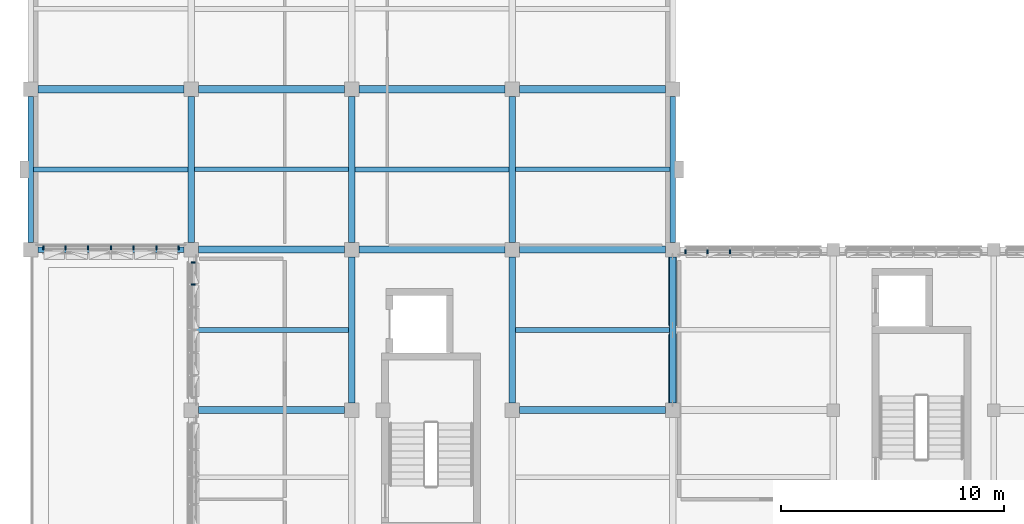
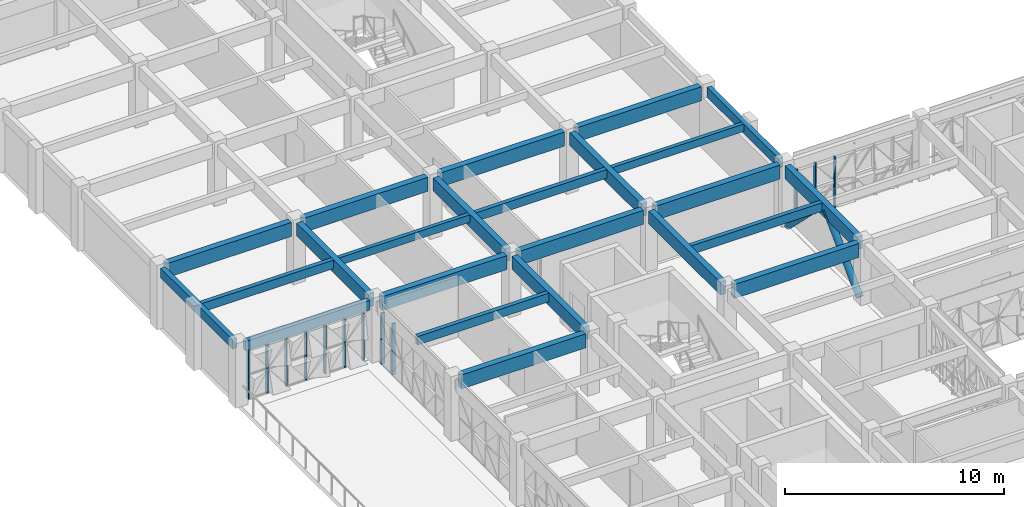
# One storey, part 7 of 85: 24 beams, 14 members, 3 elements without a shape of their own.
"""IFC4 building model written with IfcOpenShell, lengths in metres."""

from ifc_helpers import new_model, si_unit, direction, frame, origin, origin_2d, place, context, subcontext, project, spatial, rectangle, hollow_circle, extrude, material, material_profile, profile_set, type_object, element, aggregate, save


model = new_model("IFC4")

# Units and contexts
model_context = context("Model", 3, precision=1e-05, world=origin(), true_north=direction((0.0, 1.0)))
body_context = subcontext(model_context, "Body", "Model", "MODEL_VIEW")
ifc_project = project(units=[si_unit("LENGTHUNIT", "METRE"), si_unit("AREAUNIT", "SQUARE_METRE"), si_unit("VOLUMEUNIT", "CUBIC_METRE"), si_unit("PLANEANGLEUNIT", "RADIAN"), si_unit("MASSUNIT", "GRAM", prefix="KILO")], contexts=[model_context])

# Site, building, storey
site_placement = place(None, origin())
site = spatial("IfcSite", under=ifc_project, at=site_placement, CompositionType="ELEMENT")
building_placement = place(site_placement, origin())
building = spatial("IfcBuilding", under=site, at=building_placement, Name="Alvorim Cloister Faculty of Sciences", CompositionType="ELEMENT")
storey_placement = place(building_placement, frame((0.0, 0.0, 8.550048828125)))
storey = spatial("IfcBuildingStorey", under=building, at=storey_placement, Name="L02", CompositionType="ELEMENT", Elevation=8.550048828125)

# Beams
ifc_material_1 = material(Name="Glulam GL32h", Category="wood")
ifc_material_profile_1 = material_profile(ifc_material_1, rectangle(XDim=0.300048828125, YDim=0.719970703125, at=origin_2d()), Name="GL32-BM-300x720")
ifc_profile_set_1 = profile_set([ifc_material_profile_1], Name="Glulam GL32h")
beam_type_1 = type_object("IfcBeamType", Name="BM-GL-300x720", PredefinedType="BEAM", material=ifc_profile_set_1)
for number, where, z_axis, x_axis, name in (
    (1, (7.199951171875, 56.719970703125, 3.030029296875), (0.0, 1.0, 0.0), (-1.0, 0.0, 0.0), "L02 Primary Girder BM-1357"),
    (2, (14.39990234375, 49.52001953125, 3.030029296875), (0.0, 1.0, 0.0), (-1.0, 0.0, 0.0), "L02 Primary Girder BM-1372"),
    (3, (14.39990234375, 56.719970703125, 3.030029296875), (0.0, 1.0, 0.0), (-1.0, 0.0, 0.0), "L02 Primary Girder BM-1373"),
    (4, (21.60009765625, 49.52001953125, 3.030029296875), (0.0, 1.0, 0.0), (-1.0, 0.0, 0.0), "L02 Primary Girder BM-1388"),
    (5, (21.60009765625, 56.719970703125, 3.030029296875), (0.0, 1.0, 0.0), (-1.0, 0.0, 0.0), "L02 Primary Girder BM-1389"),
    (6, (28.800048828125, 49.52001953125, 3.030029296875), (0.0, 1.0, 0.0), (-1.0, 0.0, 0.0), "L02 Primary Girder BM-1404"),
):
    element("IfcBeam", number, at=place(storey_placement, frame(where, z_axis=z_axis, x_axis=x_axis)), inside=storey, type_object=beam_type_1, Name=name, PredefinedType="BEAM", context=body_context, shape_type="SweptSolid", body=[
        extrude(rectangle(XDim=0.300048828125, YDim=0.719970703125, at=origin_2d()), origin(), (0.0, 0.0, 1.0), 6.56005859375),
    ])
ifc_material_profile_2 = material_profile(ifc_material_1, rectangle(XDim=0.320068359375, YDim=0.780029296875, at=origin_2d()), Name="GL32-BM-320x780")
ifc_profile_set_2 = profile_set([ifc_material_profile_2], Name="Glulam GL32h")
beam_type_2 = type_object("IfcBeamType", Name="BM-GL-320x780", PredefinedType="BEAM", material=ifc_profile_set_2)
for number, where, z_axis, x_axis, name in (
    (7, (7.52001953125, 49.199951171875, 3.0), (1.0, 0.0, 0.0), (0.0, 1.0, 0.0), "L02 Primary Beam BM-1297"),
    (8, (21.919921875, 49.199951171875, 3.0), (1.0, 0.0, 0.0), (0.0, 1.0, 0.0), "L02 Primary Beam BM-1298"),
    (9, (7.52001953125, 56.39990234375, 3.0), (1.0, 0.0, 0.0), (0.0, 1.0, 0.0), "L02 Primary Beam BM-1304"),
    (10, (14.719970703125, 56.39990234375, 3.0), (1.0, 0.0, 0.0), (0.0, 1.0, 0.0), "L02 Primary Beam BM-1305"),
    (11, (21.919921875, 56.39990234375, 3.0), (1.0, 0.0, 0.0), (0.0, 1.0, 0.0), "L02 Primary Beam BM-1306"),
):
    element("IfcBeam", number, at=place(storey_placement, frame(where, z_axis=z_axis, x_axis=x_axis)), inside=storey, type_object=beam_type_2, Name=name, PredefinedType="BEAM", context=body_context, shape_type="SweptSolid", body=[
        extrude(rectangle(XDim=0.320068359375, YDim=0.780029296875, at=origin_2d()), origin(), (0.0, 0.0, 1.0), 6.56005859375),
    ])
beam_1_placement = place(storey_placement, frame((0.320068359375, 63.60009765625, 3.0), z_axis=(1.0, 0.0, 0.0), x_axis=(0.0, 1.0, 0.0)))
element("IfcBeam", 12, at=beam_1_placement, inside=storey, type_object=beam_type_2, Name="L02 Primary Beam BM-1312", PredefinedType="BEAM", context=body_context, shape_type="SweptSolid", body=[
    extrude(rectangle(XDim=0.320068359375, YDim=0.780029296875, at=origin_2d()), origin(), (0.0, 0.0, 1.0), 6.559814453125),
])
for number, where, z_axis, x_axis, name in (
    (13, (7.52001953125, 63.60009765625, 3.0), (1.0, 0.0, 0.0), (0.0, 1.0, 0.0), "L02 Primary Beam BM-1313"),
    (14, (14.719970703125, 63.60009765625, 3.0), (1.0, 0.0, 0.0), (0.0, 1.0, 0.0), "L02 Primary Beam BM-1314"),
    (15, (21.919921875, 63.60009765625, 3.0), (1.0, 0.0, 0.0), (0.0, 1.0, 0.0), "L02 Primary Beam BM-1315"),
):
    element("IfcBeam", number, at=place(storey_placement, frame(where, z_axis=z_axis, x_axis=x_axis)), inside=storey, type_object=beam_type_2, Name=name, PredefinedType="BEAM", context=body_context, shape_type="SweptSolid", body=[
        extrude(rectangle(XDim=0.320068359375, YDim=0.780029296875, at=origin_2d()), origin(), (0.0, 0.0, 1.0), 6.56005859375),
    ])
ifc_material_2 = material(Name="Glulam GL28h", Category="wood")
ifc_material_profile_3 = material_profile(ifc_material_2, rectangle(XDim=0.199951171875, YDim=0.419921875, at=origin_2d()), Name="GL28-JST-200x420")
ifc_profile_set_3 = profile_set([ifc_material_profile_3], Name="Glulam GL28h")
beam_type_3 = type_object("IfcBeamType", Name="BM-JST-GL-200x420", PredefinedType="JOIST", material=ifc_profile_set_3)
beam_2_placement = place(storey_placement, frame((7.35009765625, 60.0, 3.179931640625), z_axis=(1.0, 0.0, 0.0), x_axis=(0.0, 1.0, 0.0)))
element("IfcBeam", 16, at=beam_2_placement, inside=storey, type_object=beam_type_3, Name="L02 Secondary Floor Joist BM-1455", PredefinedType="JOIST", context=body_context, shape_type="SweptSolid", body=[
    extrude(rectangle(XDim=0.199951171875, YDim=0.419921875, at=origin_2d()), origin(), (0.0, 0.0, 1.0), 6.89990234375),
])
beam_3_placement = place(storey_placement, frame((21.75, 60.0, 3.179931640625), z_axis=(1.0, 0.0, 0.0), x_axis=(0.0, 1.0, 0.0)))
element("IfcBeam", 17, at=beam_3_placement, inside=storey, type_object=beam_type_3, Name="L02 Secondary Floor Joist BM-1479", PredefinedType="JOIST", context=body_context, shape_type="SweptSolid", body=[
    extrude(rectangle(XDim=0.199951171875, YDim=0.419921875, at=origin_2d()), origin(), (0.0, 0.0, 1.0), 6.929931640625),
])
ifc_material_profile_4 = material_profile(ifc_material_2, rectangle(XDim=0.219970703125, YDim=0.47998046875, at=origin_2d()), Name="GL28-JST-220x480")
ifc_profile_set_4 = profile_set([ifc_material_profile_4], Name="Glulam GL28h")
beam_type_4 = type_object("IfcBeamType", Name="BM-JST-GL-220x480", PredefinedType="JOIST", material=ifc_profile_set_4)
for number, where, z_axis, x_axis, name in (
    (18, (0.1201171875, 60.0, 3.14990234375), (1.0, 0.0, 0.0), (0.0, 1.0, 0.0), "L02 Secondary Floor Joist BM-1439"),
    (19, (7.320068359375, 52.800048828125, 3.14990234375), (1.0, 0.0, 0.0), (0.0, 1.0, 0.0), "L02 Secondary Floor Joist BM-1454"),
):
    element("IfcBeam", number, at=place(storey_placement, frame(where, z_axis=z_axis, x_axis=x_axis)), inside=storey, type_object=beam_type_4, Name=name, PredefinedType="JOIST", context=body_context, shape_type="SweptSolid", body=[
        extrude(rectangle(XDim=0.219970703125, YDim=0.47998046875, at=origin_2d()), origin(), (0.0, 0.0, 1.0), 6.929931640625),
    ])
for number, where, z_axis, x_axis, name in (
    (20, (14.550048828125, 60.0, 3.14990234375), (1.0, 0.0, 0.0), (0.0, 1.0, 0.0), "L02 Secondary Floor Joist BM-1465"),
    (21, (21.75, 52.800048828125, 3.14990234375), (1.0, 0.0, 0.0), (0.0, 1.0, 0.0), "L02 Secondary Floor Joist BM-1478"),
):
    element("IfcBeam", number, at=place(storey_placement, frame(where, z_axis=z_axis, x_axis=x_axis)), inside=storey, type_object=beam_type_4, Name=name, PredefinedType="JOIST", context=body_context, shape_type="SweptSolid", body=[
        extrude(rectangle(XDim=0.219970703125, YDim=0.47998046875, at=origin_2d()), origin(), (0.0, 0.0, 1.0), 6.89990234375),
    ])
ifc_material_profile_5 = material_profile(ifc_material_2, rectangle(XDim=0.239990234375, YDim=0.5400390625, at=origin_2d()), Name="GL28-SPD-240x540")
ifc_profile_set_5 = profile_set([ifc_material_profile_5], Name="Glulam GL28h")
beam_type_5 = type_object("IfcBeamType", Name="BM-SPD-GL-240x540", PredefinedType="SPANDREL", material=ifc_profile_set_5)
beam_4_placement = place(storey_placement, frame((0.320068359375, 56.39990234375, 3.119873046875), z_axis=(1.0, 0.0, 0.0), x_axis=(0.0, 1.0, 0.0)))
element("IfcBeam", 22, at=beam_4_placement, inside=storey, type_object=beam_type_5, Name="L02 Primary Beam BM-1303", PredefinedType="SPANDREL", context=body_context, shape_type="SweptSolid", body=[
    extrude(rectangle(XDim=0.239990234375, YDim=0.5400390625, at=origin_2d()), origin(), (0.0, 0.0, 1.0), 6.559814453125),
])
for number, where, z_axis, x_axis, name in (
    (23, (0.0, 56.719970703125, 3.119873046875), (0.0, 1.0, 0.0), (-1.0, 0.0, 0.0), "L02 Primary Girder BM-1341"),
    (24, (28.800048828125, 56.719970703125, 3.119873046875), (0.0, 1.0, 0.0), (-1.0, 0.0, 0.0), "L02 Primary Girder BM-1405"),
):
    element("IfcBeam", number, at=place(storey_placement, frame(where, z_axis=z_axis, x_axis=x_axis)), inside=storey, type_object=beam_type_5, Name=name, PredefinedType="SPANDREL", context=body_context, shape_type="SweptSolid", body=[
        extrude(rectangle(XDim=0.239990234375, YDim=0.5400390625, at=origin_2d()), origin(), (0.0, 0.0, 1.0), 6.56005859375),
    ])

# Curtain wall, members
ifc_material_3 = material(Name="Aluminium and Low-E Glass Curtain Wall", Category="aluminium")
curtain_wall_type = type_object("IfcCurtainWallType", Name="CW-TRI-6120x2850", PredefinedType="USERDEFINED", material=ifc_material_3)
curtain_wall_1_placement = place(storey_placement, origin())
curtain_wall_1 = element("IfcCurtainWall", 25, at=curtain_wall_1_placement, inside=storey, type_object=curtain_wall_type, Name="L02 Diagonal Cassette Curtain Wall CW-0054", ObjectType="UNITISED CURTAIN WALL", PredefinedType="USERDEFINED")
ifc_material_4 = material(Name="Aluminium Alloy 6063-T6", Category="aluminium")
ifc_material_profile_6 = material_profile(ifc_material_4, rectangle(XDim=0.06494140625, YDim=0.179931640625, at=origin_2d()), Name="ALU-MUL-65x180")
ifc_profile_set_6 = profile_set([ifc_material_profile_6], Name="Aluminium Alloy 6063-T6")
member_type_1 = type_object("IfcMemberType", Name="CW-MUL-65x180", PredefinedType="MULLION", material=ifc_profile_set_6)
member_1_placement = place(storey_placement, frame((7.2900390625, 54.840087890625, 0.0), z_axis=(0.0, 0.0, 1.0), x_axis=(0.0, 1.0, 0.0)))
member_1 = element("IfcMember", 26, at=member_1_placement, type_object=member_type_1, Name="CW-0054 Mullion 6", PredefinedType="MULLION", context=body_context, shape_type="SweptSolid", body=[
    extrude(rectangle(XDim=0.06494140625, YDim=0.179931640625, at=origin_2d()), origin(), (0.0, 0.0, 1.0), 2.849853515625),
])
member_2_placement = place(storey_placement, frame((7.2900390625, 55.827392578125, 0.0), z_axis=(0.0, 0.0, 1.0), x_axis=(0.0, 1.0, 0.0)))
member_2 = element("IfcMember", 27, at=member_2_placement, type_object=member_type_1, Name="CW-0054 Mullion 7", PredefinedType="MULLION", context=body_context, shape_type="SweptSolid", body=[
    extrude(rectangle(XDim=0.06494140625, YDim=0.179931640625, at=origin_2d()), origin(), (0.0, 0.0, 1.0), 2.849853515625),
])
aggregate(curtain_wall_1, [member_1, member_2])

curtain_wall_2_placement = place(storey_placement, origin())
curtain_wall_2 = element("IfcCurtainWall", 28, at=curtain_wall_2_placement, inside=storey, type_object=curtain_wall_type, Name="L02 Diagonal Cassette Curtain Wall CW-0055", ObjectType="UNITISED CURTAIN WALL", PredefinedType="USERDEFINED")
member_3_placement = place(storey_placement, frame((0.572509765625, 56.489990234375, 0.0), z_axis=(0.0, 0.0, 1.0), x_axis=(1.0, 0.0, 0.0)))
member_3 = element("IfcMember", 29, at=member_3_placement, type_object=member_type_1, Name="CW-0055 Mullion 1", PredefinedType="MULLION", context=body_context, shape_type="SweptSolid", body=[
    extrude(rectangle(XDim=0.06494140625, YDim=0.179931640625, at=origin_2d()), origin(), (0.0, 0.0, 1.0), 2.849853515625),
])
member_4_placement = place(storey_placement, frame((1.56005859375, 56.489990234375, 0.0), z_axis=(0.0, 0.0, 1.0), x_axis=(1.0, 0.0, 0.0)))
member_4 = element("IfcMember", 30, at=member_4_placement, type_object=member_type_1, Name="CW-0055 Mullion 2", PredefinedType="MULLION", context=body_context, shape_type="SweptSolid", body=[
    extrude(rectangle(XDim=0.06494140625, YDim=0.179931640625, at=origin_2d()), origin(), (0.0, 0.0, 1.0), 2.849853515625),
])
member_5_placement = place(storey_placement, frame((2.580078125, 56.489990234375, 0.0), z_axis=(0.0, 0.0, 1.0), x_axis=(1.0, 0.0, 0.0)))
member_5 = element("IfcMember", 31, at=member_5_placement, type_object=member_type_1, Name="CW-0055 Mullion 3", PredefinedType="MULLION", context=body_context, shape_type="SweptSolid", body=[
    extrude(rectangle(XDim=0.06494140625, YDim=0.179931640625, at=origin_2d()), origin(), (0.0, 0.0, 1.0), 2.849853515625),
])
member_6_placement = place(storey_placement, frame((3.60009765625, 56.489990234375, 0.0), z_axis=(0.0, 0.0, 1.0), x_axis=(1.0, 0.0, 0.0)))
member_6 = element("IfcMember", 32, at=member_6_placement, type_object=member_type_1, Name="CW-0055 Mullion 4", PredefinedType="MULLION", context=body_context, shape_type="SweptSolid", body=[
    extrude(rectangle(XDim=0.06494140625, YDim=0.179931640625, at=origin_2d()), origin(), (0.0, 0.0, 1.0), 2.849853515625),
])
member_7_placement = place(storey_placement, frame((4.6201171875, 56.489990234375, 0.0), z_axis=(0.0, 0.0, 1.0), x_axis=(1.0, 0.0, 0.0)))
member_7 = element("IfcMember", 33, at=member_7_placement, type_object=member_type_1, Name="CW-0055 Mullion 5", PredefinedType="MULLION", context=body_context, shape_type="SweptSolid", body=[
    extrude(rectangle(XDim=0.06494140625, YDim=0.179931640625, at=origin_2d()), origin(), (0.0, 0.0, 1.0), 2.849853515625),
])
member_8_placement = place(storey_placement, frame((5.639892578125, 56.489990234375, 0.0), z_axis=(0.0, 0.0, 1.0), x_axis=(1.0, 0.0, 0.0)))
member_8 = element("IfcMember", 34, at=member_8_placement, type_object=member_type_1, Name="CW-0055 Mullion 6", PredefinedType="MULLION", context=body_context, shape_type="SweptSolid", body=[
    extrude(rectangle(XDim=0.06494140625, YDim=0.179931640625, at=origin_2d()), origin(), (0.0, 0.0, 1.0), 2.849853515625),
])
member_9_placement = place(storey_placement, frame((6.62744140625, 56.489990234375, 0.0), z_axis=(0.0, 0.0, 1.0), x_axis=(1.0, 0.0, 0.0)))
member_9 = element("IfcMember", 35, at=member_9_placement, type_object=member_type_1, Name="CW-0055 Mullion 7", PredefinedType="MULLION", context=body_context, shape_type="SweptSolid", body=[
    extrude(rectangle(XDim=0.06494140625, YDim=0.179931640625, at=origin_2d()), origin(), (0.0, 0.0, 1.0), 2.849853515625),
])
aggregate(curtain_wall_2, [member_3, member_4, member_5, member_6, member_7, member_8, member_9])

curtain_wall_3_placement = place(storey_placement, origin())
curtain_wall_3 = element("IfcCurtainWall", 36, at=curtain_wall_3_placement, inside=storey, type_object=curtain_wall_type, Name="L02 Diagonal Cassette Curtain Wall CW-0056", ObjectType="UNITISED CURTAIN WALL", PredefinedType="USERDEFINED")
member_10_placement = place(storey_placement, frame((29.37255859375, 56.31005859375, 0.0), z_axis=(0.0, 0.0, 1.0), x_axis=(1.0, 0.0, 0.0)))
member_10 = element("IfcMember", 37, at=member_10_placement, type_object=member_type_1, Name="CW-0056 Mullion 1", PredefinedType="MULLION", context=body_context, shape_type="SweptSolid", body=[
    extrude(rectangle(XDim=0.06494140625, YDim=0.179931640625, at=origin_2d()), origin(), (0.0, 0.0, 1.0), 2.849853515625),
])
member_11_placement = place(storey_placement, frame((30.360107421875, 56.31005859375, 0.0), z_axis=(0.0, 0.0, 1.0), x_axis=(1.0, 0.0, 0.0)))
member_11 = element("IfcMember", 38, at=member_11_placement, type_object=member_type_1, Name="CW-0056 Mullion 2", PredefinedType="MULLION", context=body_context, shape_type="SweptSolid", body=[
    extrude(rectangle(XDim=0.06494140625, YDim=0.179931640625, at=origin_2d()), origin(), (0.0, 0.0, 1.0), 2.849853515625),
])
member_12_placement = place(storey_placement, frame((31.3798828125, 56.31005859375, 0.0), z_axis=(0.0, 0.0, 1.0), x_axis=(1.0, 0.0, 0.0)))
member_12 = element("IfcMember", 39, at=member_12_placement, type_object=member_type_1, Name="CW-0056 Mullion 3", PredefinedType="MULLION", context=body_context, shape_type="SweptSolid", body=[
    extrude(rectangle(XDim=0.06494140625, YDim=0.179931640625, at=origin_2d()), origin(), (0.0, 0.0, 1.0), 2.849853515625),
])
aggregate(curtain_wall_3, [member_10, member_11, member_12])

# Members
ifc_material_5 = material(Name="Steel ASTM A572 Grade 50", Category="steel")
ifc_material_profile_7 = material_profile(ifc_material_5, hollow_circle(Radius=0.177734375, WallThickness=0.012451171875, at=origin_2d()), Name="CHS355.6x12.5")
ifc_profile_set_7 = profile_set([ifc_material_profile_7], Name="Steel ASTM A572 Grade 50")
member_type_2 = type_object("IfcMemberType", Name="MB-BRC-CHS355", PredefinedType="BRACE", material=ifc_profile_set_7)
for number, where, z_axis, x_axis, name in (
    (40, (28.800048828125, 49.52001953125, 0.0), (0.0, 0.710584778885, 0.70361159173), (-1.0, 0.0, 0.0), "L02 Lateral Chevron Brace MB-0029"),
    (41, (28.800048828125, 56.080078125, 0.0), (0.0, -0.710584778885, 0.70361159173), (1.0, 0.0, 0.0), "L02 Lateral Chevron Brace MB-0030"),
):
    element("IfcMember", number, at=place(storey_placement, frame(where, z_axis=z_axis, x_axis=x_axis)), inside=storey, type_object=member_type_2, Name=name, PredefinedType="BRACE", context=body_context, shape_type="SweptSolid", body=[
        extrude(hollow_circle(Radius=0.177734375, WallThickness=0.012451171875, at=origin_2d()), origin(), (0.0, 0.0, 1.0), 4.306396484375),
    ])

save(model, "model.ifc")
